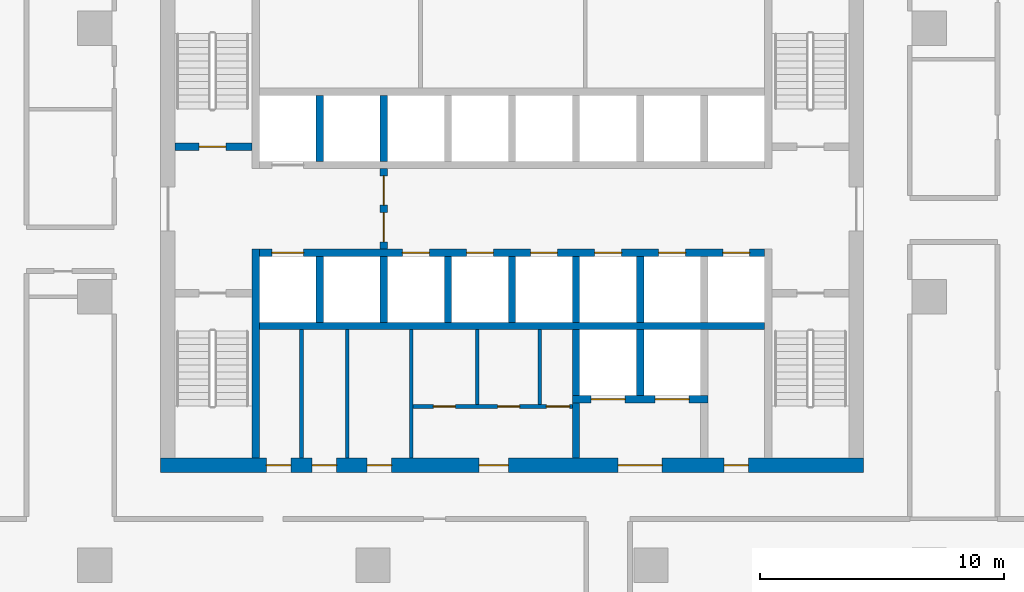
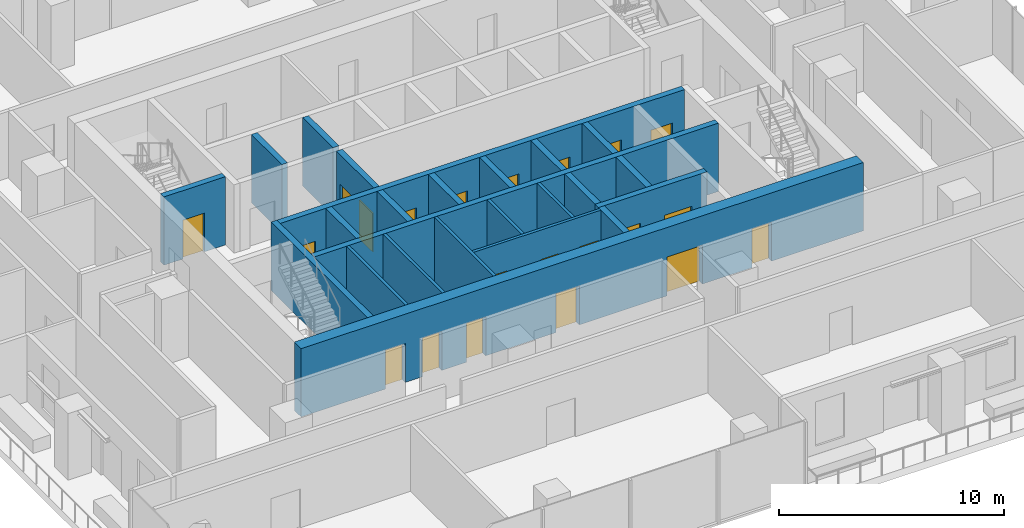
# One storey, part 8 of 14: 24 walls, 21 doors, 21 openings.
"""IFC4 building model written with IfcOpenShell, lengths in metres."""

from ifc_helpers import new_model, si_unit, direction, frame, frame_2d, origin, place, context, subcontext, project, spatial, rectangle, extrude, material, layer, layer_set, type_object, element, fill, save


model = new_model("IFC4")

# Units and contexts
model_context = context("Model", 3, precision=1e-05, world=origin(), true_north=direction((0.0, 1.0)))
body_context = subcontext(model_context, "Body", "Model", "MODEL_VIEW")
ifc_project = project(units=[si_unit("LENGTHUNIT", "METRE"), si_unit("AREAUNIT", "SQUARE_METRE"), si_unit("VOLUMEUNIT", "CUBIC_METRE"), si_unit("PLANEANGLEUNIT", "RADIAN"), si_unit("MASSUNIT", "GRAM", prefix="KILO")], contexts=[model_context])

# Site, building, storey
site_placement = place(None, origin())
site = spatial("IfcSite", under=ifc_project, at=site_placement, CompositionType="ELEMENT")
building_placement = place(site_placement, origin())
building = spatial("IfcBuilding", under=site, at=building_placement, Name="Mopane Tessera Tower", CompositionType="ELEMENT")
storey_placement = place(building_placement, frame((0.0, 0.0, 197.0)))
storey = spatial("IfcBuildingStorey", under=building, at=storey_placement, Name="L41", CompositionType="ELEMENT", Elevation=197.0)

# Walls
ifc_material_1 = material(Name="Fire-rated gypsum board partition")
ifc_layer_1 = layer(ifc_material_1, 0.14990234375)
ifc_layer_set_1 = layer_set([ifc_layer_1], Name="Fire-rated gypsum board partition")
wall_type_1 = type_object("IfcWallType", Name="Core room partition 150 mm", PredefinedType="PARTITIONING", material=ifc_layer_set_1)
for number, where, z_axis, x_axis, name in (
    (1, (-8.625, -6.60009765625, 0.0), (0.0, 0.0, 1.0), (0.0, 1.0, 0.0), "L41 Room partition"),
    (2, (-6.75, -6.60009765625, 0.0), (0.0, 0.0, 1.0), (0.0, 1.0, 0.0), "L41 Room partition"),
    (3, (-4.125, -6.60009765625, 0.0), (0.0, 0.0, 1.0), (0.0, 1.0, 0.0), "L41 Room partition"),
):
    element("IfcWall", number, at=place(storey_placement, frame(where, z_axis=z_axis, x_axis=x_axis)), inside=storey, type_object=wall_type_1, Name=name, PredefinedType="PARTITIONING", context=body_context, shape_type="SweptSolid", body=[
        extrude(rectangle(XDim=5.25, YDim=0.14990234375, at=frame_2d((2.625, 0.0))), origin(), (0.0, 0.0, 1.0), 3.699951171875),
    ])

# Wall, openings, doors
wall_1_placement = place(storey_placement, frame((-4.050048828125, -4.5, 0.0), z_axis=(0.0, 0.0, 1.0), x_axis=(1.0, 0.0, 0.0)))
wall_1 = element("IfcWall", 4, at=wall_1_placement, inside=storey, type_object=wall_type_1, Name="L41 WC partition", PredefinedType="PARTITIONING", context=body_context, shape_type="SweptSolid", body=[
    extrude(rectangle(XDim=6.525146484375, YDim=0.14990234375, at=frame_2d((3.2626953125, 0.0))), origin(), (0.0, 0.0, 1.0), 3.699951171875),
])
opening_1_placement = place(wall_1_placement, frame((0.824951171875, 0.0, 0.0)))
opening_1 = element("IfcOpeningElement", 5, at=opening_1_placement, cuts=wall_1, Name="Opening WD1", PredefinedType="OPENING", context=body_context, shape_type="SweptSolid", body=[
    extrude(rectangle(XDim=0.89990234375, YDim=2.10009765625, at=frame_2d((0.449951171875, 1.050048828125))), frame((0.0, 0.0869140625, 0.0), z_axis=(0.0, -1.0, 0.0), x_axis=(1.0, 0.0, 0.0)), (0.0, 0.0, 1.0), 0.173828125),
])
opening_2_placement = place(wall_1_placement, frame((3.45751953125, 0.0, 0.0)))
opening_2 = element("IfcOpeningElement", 6, at=opening_2_placement, cuts=wall_1, Name="Opening WD1", PredefinedType="OPENING", context=body_context, shape_type="SweptSolid", body=[
    extrude(rectangle(XDim=0.89990234375, YDim=2.10009765625, at=frame_2d((0.449951171875, 1.050048828125))), frame((0.0, 0.0869140625, 0.0), z_axis=(0.0, -1.0, 0.0), x_axis=(1.0, 0.0, 0.0)), (0.0, 0.0, 1.0), 0.173828125),
])
opening_3_placement = place(wall_1_placement, frame((5.45751953125, 0.0, 0.0)))
opening_3 = element("IfcOpeningElement", 7, at=opening_3_placement, cuts=wall_1, Name="Opening WD2", PredefinedType="OPENING", context=body_context, shape_type="SweptSolid", body=[
    extrude(rectangle(XDim=0.949951171875, YDim=2.10009765625, at=frame_2d((0.47509765625, 1.050048828125))), frame((0.0, 0.0869140625, 0.0), z_axis=(0.0, -1.0, 0.0), x_axis=(1.0, 0.0, 0.0)), (0.0, 0.0, 1.0), 0.173828125),
])
ifc_material_2 = material(Name="Timber door", Category="wood")
door_type_1 = type_object("IfcDoorType", Name="Accessible WC door 950 x 2100", OperationType="SINGLE_SWING_LEFT", PredefinedType="DOOR", material=ifc_material_2)
door_1_placement = place(opening_3_placement, origin())
door_1 = element("IfcDoor", 8, at=door_1_placement, inside=storey, type_object=door_type_1, Name="L41 Accessible WC door", OperationType="SINGLE_SWING_LEFT", OverallHeight=2.10009765625, OverallWidth=0.949951171875, PredefinedType="DOOR", context=body_context, shape_type="SweptSolid", body=[
    extrude(rectangle(XDim=0.949951171875, YDim=2.10009765625, at=frame_2d((0.47509765625, 1.050048828125))), frame((0.0, 0.02490234375, 0.0), z_axis=(0.0, -1.0, 0.0), x_axis=(1.0, 0.0, 0.0)), (0.0, 0.0, 1.0), 0.050048828125),
])
fill(opening_3, door_1)
ifc_material_3 = material(Name="Timber door", Category="wood")
door_type_2 = type_object("IfcDoorType", Name="WC cubicle door 900 x 2100", OperationType="SINGLE_SWING_LEFT", PredefinedType="DOOR", material=ifc_material_3)
door_2_placement = place(opening_1_placement, origin())
door_2 = element("IfcDoor", 9, at=door_2_placement, inside=storey, type_object=door_type_2, Name="L41 Men's WC door", OperationType="SINGLE_SWING_LEFT", OverallHeight=2.10009765625, OverallWidth=0.89990234375, PredefinedType="DOOR", context=body_context, shape_type="SweptSolid", body=[
    extrude(rectangle(XDim=0.89990234375, YDim=2.10009765625, at=frame_2d((0.449951171875, 1.050048828125))), frame((0.0, 0.02490234375, 0.0), z_axis=(0.0, -1.0, 0.0), x_axis=(1.0, 0.0, 0.0)), (0.0, 0.0, 1.0), 0.050048828125),
])
fill(opening_1, door_2)
door_3_placement = place(opening_2_placement, origin())
door_3 = element("IfcDoor", 10, at=door_3_placement, inside=storey, type_object=door_type_2, Name="L41 Women's WC door", OperationType="SINGLE_SWING_LEFT", OverallHeight=2.10009765625, OverallWidth=0.89990234375, PredefinedType="DOOR", context=body_context, shape_type="SweptSolid", body=[
    extrude(rectangle(XDim=0.89990234375, YDim=2.10009765625, at=frame_2d((0.449951171875, 1.050048828125))), frame((0.0, 0.02490234375, 0.0), z_axis=(0.0, -1.0, 0.0), x_axis=(1.0, 0.0, 0.0)), (0.0, 0.0, 1.0), 0.050048828125),
])
fill(opening_2, door_3)

# Walls
for number, where, z_axis, x_axis, name in (
    (11, (-1.425048828125, -4.425048828125, 0.0), (0.0, 0.0, 1.0), (0.0, 1.0, 0.0), "L41 WC partition"),
    (12, (1.139892578125, -4.425048828125, 0.0), (0.0, 0.0, 1.0), (0.0, 1.0, 0.0), "L41 WC partition"),
):
    element("IfcWall", number, at=place(storey_placement, frame(where, z_axis=z_axis, x_axis=x_axis)), inside=storey, type_object=wall_type_1, Name=name, PredefinedType="PARTITIONING", context=body_context, shape_type="SweptSolid", body=[
        extrude(rectangle(XDim=3.074951171875, YDim=0.14990234375, at=frame_2d((1.53759765625, 0.0))), origin(), (0.0, 0.0, 1.0), 3.699951171875),
    ])

# Wall, openings, doors
ifc_material_4 = material(Name="Concrete C70/85", Category="concrete")
ifc_layer_2 = layer(ifc_material_4, 0.60009765625)
ifc_layer_set_2 = layer_set([ifc_layer_2], Name="Concrete C70/85")
wall_type_2 = type_object("IfcWallType", Name="Core shear wall 600 mm", PredefinedType="SHEAR", material=ifc_layer_set_2)
wall_2_placement = place(storey_placement, frame((-14.39990234375, -6.89990234375, 0.0), z_axis=(0.0, 0.0, 1.0), x_axis=(1.0, 0.0, 0.0)))
wall_2 = element("IfcWall", 13, at=wall_2_placement, inside=storey, type_object=wall_type_2, Name="L41 Core wall south", PredefinedType="SHEAR", context=body_context, shape_type="SweptSolid", body=[
    extrude(rectangle(XDim=28.7998046875, YDim=0.60009765625, at=frame_2d((14.39990234375, 0.0))), origin(), (0.0, 0.0, 1.0), 3.699951171875),
])
opening_4_placement = place(wall_2_placement, frame((4.33740234375, 0.0, 0.0)))
opening_4 = element("IfcOpeningElement", 14, at=opening_4_placement, cuts=wall_2, Name="Opening RD1", PredefinedType="OPENING", context=body_context, shape_type="SweptSolid", body=[
    extrude(rectangle(XDim=1.0, YDim=2.10009765625, at=frame_2d((0.5, 1.050048828125))), frame((0.0, 0.31201171875, 0.0), z_axis=(0.0, -1.0, 0.0), x_axis=(1.0, 0.0, 0.0)), (0.0, 0.0, 1.0), 0.6240234375),
])
opening_5_placement = place(wall_2_placement, frame((6.21240234375, 0.0, 0.0)))
opening_5 = element("IfcOpeningElement", 15, at=opening_5_placement, cuts=wall_2, Name="Opening RD1", PredefinedType="OPENING", context=body_context, shape_type="SweptSolid", body=[
    extrude(rectangle(XDim=1.0, YDim=2.10009765625, at=frame_2d((0.5, 1.050048828125))), frame((0.0, 0.31201171875, 0.0), z_axis=(0.0, -1.0, 0.0), x_axis=(1.0, 0.0, 0.0)), (0.0, 0.0, 1.0), 0.6240234375),
])
opening_6_placement = place(wall_2_placement, frame((8.46240234375, 0.0, 0.0)))
opening_6 = element("IfcOpeningElement", 16, at=opening_6_placement, cuts=wall_2, Name="Opening RD1", PredefinedType="OPENING", context=body_context, shape_type="SweptSolid", body=[
    extrude(rectangle(XDim=1.0, YDim=2.10009765625, at=frame_2d((0.5, 1.050048828125))), frame((0.0, 0.31201171875, 0.0), z_axis=(0.0, -1.0, 0.0), x_axis=(1.0, 0.0, 0.0)), (0.0, 0.0, 1.0), 0.6240234375),
])
opening_7_placement = place(wall_2_placement, frame((13.050048828125, 0.0, 0.0)))
opening_7 = element("IfcOpeningElement", 17, at=opening_7_placement, cuts=wall_2, Name="Opening WD3", PredefinedType="OPENING", context=body_context, shape_type="SweptSolid", body=[
    extrude(rectangle(XDim=1.199951171875, YDim=2.10009765625, at=frame_2d((0.60009765625, 1.050048828125))), frame((0.0, 0.31201171875, 0.0), z_axis=(0.0, -1.0, 0.0), x_axis=(1.0, 0.0, 0.0)), (0.0, 0.0, 1.0), 0.6240234375),
])
opening_8_placement = place(wall_2_placement, frame((18.75, 0.0, 0.0)))
opening_8 = element("IfcOpeningElement", 18, at=opening_8_placement, cuts=wall_2, Name="Opening SD2", PredefinedType="OPENING", context=body_context, shape_type="SweptSolid", body=[
    extrude(rectangle(XDim=1.800048828125, YDim=2.10009765625, at=frame_2d((0.89990234375, 1.050048828125))), frame((0.0, 0.31201171875, 0.0), z_axis=(0.0, -1.0, 0.0), x_axis=(1.0, 0.0, 0.0)), (0.0, 0.0, 1.0), 0.6240234375),
])
opening_9_placement = place(wall_2_placement, frame((23.08740234375, 0.0, 0.0)))
opening_9 = element("IfcOpeningElement", 19, at=opening_9_placement, cuts=wall_2, Name="Opening RD1", PredefinedType="OPENING", context=body_context, shape_type="SweptSolid", body=[
    extrude(rectangle(XDim=1.0, YDim=2.10009765625, at=frame_2d((0.5, 1.050048828125))), frame((0.0, 0.31201171875, 0.0), z_axis=(0.0, -1.0, 0.0), x_axis=(1.0, 0.0, 0.0)), (0.0, 0.0, 1.0), 0.6240234375),
])
ifc_material_5 = material(Name="Steel fire door", Category="steel")
door_type_3 = type_object("IfcDoorType", Name="Core entrance double door 1800 x 2100", OperationType="DOUBLE_DOOR_SINGLE_SWING", PredefinedType="DOOR", material=ifc_material_5)
door_4_placement = place(opening_8_placement, origin())
door_4 = element("IfcDoor", 20, at=door_4_placement, inside=storey, type_object=door_type_3, Name="L41 Service lobby door", OperationType="DOUBLE_DOOR_SINGLE_SWING", OverallHeight=2.10009765625, OverallWidth=1.800048828125, PredefinedType="DOOR", context=body_context, shape_type="SweptSolid", body=[
    extrude(rectangle(XDim=1.800048828125, YDim=2.10009765625, at=frame_2d((0.89990234375, 1.050048828125))), frame((0.0, 0.02490234375, 0.0), z_axis=(0.0, -1.0, 0.0), x_axis=(1.0, 0.0, 0.0)), (0.0, 0.0, 1.0), 0.050048828125),
])
fill(opening_8, door_4)
ifc_material_6 = material(Name="Timber door", Category="wood")
door_type_4 = type_object("IfcDoorType", Name="Core room door 1000 x 2100", OperationType="SINGLE_SWING_LEFT", PredefinedType="DOOR", material=ifc_material_6)
door_5_placement = place(opening_4_placement, origin())
door_5 = element("IfcDoor", 21, at=door_5_placement, inside=storey, type_object=door_type_4, Name="L41 Room door", OperationType="SINGLE_SWING_LEFT", OverallHeight=2.10009765625, OverallWidth=1.0, PredefinedType="DOOR", context=body_context, shape_type="SweptSolid", body=[
    extrude(rectangle(XDim=1.0, YDim=2.10009765625, at=frame_2d((0.5, 1.050048828125))), frame((0.0, 0.02490234375, 0.0), z_axis=(0.0, -1.0, 0.0), x_axis=(1.0, 0.0, 0.0)), (0.0, 0.0, 1.0), 0.050048828125),
])
fill(opening_4, door_5)
door_6_placement = place(opening_5_placement, origin())
door_6 = element("IfcDoor", 22, at=door_6_placement, inside=storey, type_object=door_type_4, Name="L41 Room door", OperationType="SINGLE_SWING_LEFT", OverallHeight=2.10009765625, OverallWidth=1.0, PredefinedType="DOOR", context=body_context, shape_type="SweptSolid", body=[
    extrude(rectangle(XDim=1.0, YDim=2.10009765625, at=frame_2d((0.5, 1.050048828125))), frame((0.0, 0.02490234375, 0.0), z_axis=(0.0, -1.0, 0.0), x_axis=(1.0, 0.0, 0.0)), (0.0, 0.0, 1.0), 0.050048828125),
])
fill(opening_5, door_6)
door_7_placement = place(opening_6_placement, origin())
door_7 = element("IfcDoor", 23, at=door_7_placement, inside=storey, type_object=door_type_4, Name="L41 Room door", OperationType="SINGLE_SWING_LEFT", OverallHeight=2.10009765625, OverallWidth=1.0, PredefinedType="DOOR", context=body_context, shape_type="SweptSolid", body=[
    extrude(rectangle(XDim=1.0, YDim=2.10009765625, at=frame_2d((0.5, 1.050048828125))), frame((0.0, 0.02490234375, 0.0), z_axis=(0.0, -1.0, 0.0), x_axis=(1.0, 0.0, 0.0)), (0.0, 0.0, 1.0), 0.050048828125),
])
fill(opening_6, door_7)
door_8_placement = place(opening_9_placement, origin())
door_8 = element("IfcDoor", 24, at=door_8_placement, inside=storey, type_object=door_type_4, Name="L41 Room door", OperationType="SINGLE_SWING_LEFT", OverallHeight=2.10009765625, OverallWidth=1.0, PredefinedType="DOOR", context=body_context, shape_type="SweptSolid", body=[
    extrude(rectangle(XDim=1.0, YDim=2.10009765625, at=frame_2d((0.5, 1.050048828125))), frame((0.0, 0.02490234375, 0.0), z_axis=(0.0, -1.0, 0.0), x_axis=(1.0, 0.0, 0.0)), (0.0, 0.0, 1.0), 0.050048828125),
])
fill(opening_9, door_8)
ifc_material_7 = material(Name="Timber door", Category="wood")
door_type_5 = type_object("IfcDoorType", Name="WC lobby door 1200 x 2100", OperationType="SINGLE_SWING_LEFT", PredefinedType="DOOR", material=ifc_material_7)
door_9_placement = place(opening_7_placement, origin())
door_9 = element("IfcDoor", 25, at=door_9_placement, inside=storey, type_object=door_type_5, Name="L41 WC lobby door", OperationType="SINGLE_SWING_LEFT", OverallHeight=2.10009765625, OverallWidth=1.199951171875, PredefinedType="DOOR", context=body_context, shape_type="SweptSolid", body=[
    extrude(rectangle(XDim=1.199951171875, YDim=2.10009765625, at=frame_2d((0.60009765625, 1.050048828125))), frame((0.0, 0.02490234375, 0.0), z_axis=(0.0, -1.0, 0.0), x_axis=(1.0, 0.0, 0.0)), (0.0, 0.0, 1.0), 0.050048828125),
])
fill(opening_7, door_9)

# Wall
ifc_material_8 = material(Name="Concrete C60/75", Category="concrete")
ifc_layer_3 = layer(ifc_material_8, 0.300048828125)
ifc_layer_set_3 = layer_set([ifc_layer_3], Name="Concrete C60/75")
wall_type_3 = type_object("IfcWallType", Name="Core spine wall 300 mm", PredefinedType="SHEAR", material=ifc_layer_set_3)
wall_3_placement = place(storey_placement, frame((-10.5, -6.60009765625, 0.0), z_axis=(0.0, 0.0, 1.0), x_axis=(0.0, 1.0, 0.0)))
element("IfcWall", 26, at=wall_3_placement, inside=storey, type_object=wall_type_3, Name="L41 Core spine wall", PredefinedType="SHEAR", context=body_context, shape_type="SweptSolid", body=[
    extrude(rectangle(XDim=8.550048828125, YDim=0.300048828125, at=frame_2d((4.27490234375, 0.0))), origin(), (0.0, 0.0, 1.0), 3.699951171875),
])

# Wall, opening, door
ifc_material_9 = material(Name="Concrete C50/60", Category="concrete")
ifc_layer_4 = layer(ifc_material_9, 0.300048828125)
ifc_layer_set_4 = layer_set([ifc_layer_4], Name="Concrete C50/60")
wall_type_4 = type_object("IfcWallType", Name="Lift and stair shaft wall 300 mm", PredefinedType="SOLIDWALL", material=ifc_layer_set_4)
wall_4_placement = place(storey_placement, frame((-13.800048828125, 6.14990234375, 0.0), z_axis=(0.0, 0.0, 1.0), x_axis=(1.0, 0.0, 0.0)))
wall_4 = element("IfcWall", 27, at=wall_4_placement, inside=storey, type_object=wall_type_4, Name="L41 Stair enclosure wall", PredefinedType="SOLIDWALL", context=body_context, shape_type="SweptSolid", body=[
    extrude(rectangle(XDim=3.150146484375, YDim=0.300048828125, at=frame_2d((1.5751953125, 0.0))), origin(), (0.0, 0.0, 1.0), 3.699951171875),
])
opening_10_placement = place(wall_4_placement, frame((0.97509765625, 0.0, 0.0)))
opening_10 = element("IfcOpeningElement", 28, at=opening_10_placement, cuts=wall_4, Name="Opening SD1", PredefinedType="OPENING", context=body_context, shape_type="SweptSolid", body=[
    extrude(rectangle(XDim=1.10009765625, YDim=2.10009765625, at=frame_2d((0.550048828125, 1.050048828125))), frame((0.0, 0.162109375, 0.0), z_axis=(0.0, -1.0, 0.0), x_axis=(1.0, 0.0, 0.0)), (0.0, 0.0, 1.0), 0.323974609375),
])
ifc_material_10 = material(Name="Steel fire door", Category="steel")
door_type_6 = type_object("IfcDoorType", Name="Stair fire door 1100 x 2100", OperationType="SINGLE_SWING_LEFT", PredefinedType="DOOR", material=ifc_material_10)
door_10_placement = place(opening_10_placement, origin())
door_10 = element("IfcDoor", 29, at=door_10_placement, inside=storey, type_object=door_type_6, Name="L41 Stair door ST2", OperationType="SINGLE_SWING_LEFT", OverallHeight=2.10009765625, OverallWidth=1.10009765625, PredefinedType="DOOR", context=body_context, shape_type="SweptSolid", body=[
    extrude(rectangle(XDim=1.10009765625, YDim=2.10009765625, at=frame_2d((0.550048828125, 1.050048828125))), frame((0.0, 0.02490234375, 0.0), z_axis=(0.0, -1.0, 0.0), x_axis=(1.0, 0.0, 0.0)), (0.0, 0.0, 1.0), 0.050048828125),
])
fill(opening_10, door_10)

# Wall
wall_5_placement = place(storey_placement, frame((-10.35009765625, -1.199951171875, 0.0), z_axis=(0.0, 0.0, 1.0), x_axis=(1.0, 0.0, 0.0)))
element("IfcWall", 30, at=wall_5_placement, inside=storey, type_object=wall_type_4, Name="L41 Lift shaft rear wall", PredefinedType="SOLIDWALL", context=body_context, shape_type="SweptSolid", body=[
    extrude(rectangle(XDim=20.7001953125, YDim=0.300048828125, at=frame_2d((10.35009765625, 0.0))), origin(), (0.0, 0.0, 1.0), 3.699951171875),
])

# Wall, openings, doors
wall_6_placement = place(storey_placement, frame((-10.35009765625, 1.800048828125, 0.0), z_axis=(0.0, 0.0, 1.0), x_axis=(1.0, 0.0, 0.0)))
wall_6 = element("IfcWall", 31, at=wall_6_placement, inside=storey, type_object=wall_type_4, Name="L41 Lift shaft front wall", PredefinedType="SOLIDWALL", context=body_context, shape_type="SweptSolid", body=[
    extrude(rectangle(XDim=20.7001953125, YDim=0.300048828125, at=frame_2d((10.35009765625, 0.0))), origin(), (0.0, 0.0, 1.0), 3.699951171875),
])
opening_11_placement = place(wall_6_placement, frame((0.512451171875, 0.0, 0.0)))
opening_11 = element("IfcOpeningElement", 32, at=opening_11_placement, cuts=wall_6, Name="Opening LD2", PredefinedType="OPENING", context=body_context, shape_type="SweptSolid", body=[
    extrude(rectangle(XDim=1.300048828125, YDim=2.10009765625, at=frame_2d((0.64990234375, 1.050048828125))), frame((0.0, 0.162109375, 0.0), z_axis=(0.0, -1.0, 0.0), x_axis=(1.0, 0.0, 0.0)), (0.0, 0.0, 1.0), 0.323974609375),
])
opening_12_placement = place(wall_6_placement, frame((5.862548828125, 0.0, 0.0)))
opening_12 = element("IfcOpeningElement", 33, at=opening_12_placement, cuts=wall_6, Name="Opening LD", PredefinedType="OPENING", context=body_context, shape_type="SweptSolid", body=[
    extrude(rectangle(XDim=1.10009765625, YDim=2.10009765625, at=frame_2d((0.550048828125, 1.050048828125))), frame((0.0, 0.162109375, 0.0), z_axis=(0.0, -1.0, 0.0), x_axis=(1.0, 0.0, 0.0)), (0.0, 0.0, 1.0), 0.323974609375),
])
opening_13_placement = place(wall_6_placement, frame((8.487548828125, 0.0, 0.0)))
opening_13 = element("IfcOpeningElement", 34, at=opening_13_placement, cuts=wall_6, Name="Opening LD", PredefinedType="OPENING", context=body_context, shape_type="SweptSolid", body=[
    extrude(rectangle(XDim=1.10009765625, YDim=2.10009765625, at=frame_2d((0.550048828125, 1.050048828125))), frame((0.0, 0.162109375, 0.0), z_axis=(0.0, -1.0, 0.0), x_axis=(1.0, 0.0, 0.0)), (0.0, 0.0, 1.0), 0.323974609375),
])
opening_14_placement = place(wall_6_placement, frame((11.112548828125, 0.0, 0.0)))
opening_14 = element("IfcOpeningElement", 35, at=opening_14_placement, cuts=wall_6, Name="Opening LD", PredefinedType="OPENING", context=body_context, shape_type="SweptSolid", body=[
    extrude(rectangle(XDim=1.10009765625, YDim=2.10009765625, at=frame_2d((0.550048828125, 1.050048828125))), frame((0.0, 0.162109375, 0.0), z_axis=(0.0, -1.0, 0.0), x_axis=(1.0, 0.0, 0.0)), (0.0, 0.0, 1.0), 0.323974609375),
])
opening_15_placement = place(wall_6_placement, frame((13.737548828125, 0.0, 0.0)))
opening_15 = element("IfcOpeningElement", 36, at=opening_15_placement, cuts=wall_6, Name="Opening LD", PredefinedType="OPENING", context=body_context, shape_type="SweptSolid", body=[
    extrude(rectangle(XDim=1.10009765625, YDim=2.10009765625, at=frame_2d((0.550048828125, 1.050048828125))), frame((0.0, 0.162109375, 0.0), z_axis=(0.0, -1.0, 0.0), x_axis=(1.0, 0.0, 0.0)), (0.0, 0.0, 1.0), 0.323974609375),
])
opening_16_placement = place(wall_6_placement, frame((16.362548828125, 0.0, 0.0)))
opening_16 = element("IfcOpeningElement", 37, at=opening_16_placement, cuts=wall_6, Name="Opening LD", PredefinedType="OPENING", context=body_context, shape_type="SweptSolid", body=[
    extrude(rectangle(XDim=1.10009765625, YDim=2.10009765625, at=frame_2d((0.550048828125, 1.050048828125))), frame((0.0, 0.162109375, 0.0), z_axis=(0.0, -1.0, 0.0), x_axis=(1.0, 0.0, 0.0)), (0.0, 0.0, 1.0), 0.323974609375),
])
opening_17_placement = place(wall_6_placement, frame((18.987548828125, 0.0, 0.0)))
opening_17 = element("IfcOpeningElement", 38, at=opening_17_placement, cuts=wall_6, Name="Opening LD", PredefinedType="OPENING", context=body_context, shape_type="SweptSolid", body=[
    extrude(rectangle(XDim=1.10009765625, YDim=2.10009765625, at=frame_2d((0.550048828125, 1.050048828125))), frame((0.0, 0.162109375, 0.0), z_axis=(0.0, -1.0, 0.0), x_axis=(1.0, 0.0, 0.0)), (0.0, 0.0, 1.0), 0.323974609375),
])
ifc_material_11 = material(Name="Stainless steel sliding door", Category="steel")
door_type_7 = type_object("IfcDoorType", Name="Fire-fighting lift landing door 1300 x 2100", OperationType="DOUBLE_DOOR_SLIDING", PredefinedType="DOOR", material=ifc_material_11)
door_11_placement = place(opening_11_placement, origin())
door_11 = element("IfcDoor", 39, at=door_11_placement, inside=storey, type_object=door_type_7, Name="L41 Lift landing door FF1", OperationType="DOUBLE_DOOR_SLIDING", OverallHeight=2.10009765625, OverallWidth=1.300048828125, PredefinedType="DOOR", context=body_context, shape_type="SweptSolid", body=[
    extrude(rectangle(XDim=1.300048828125, YDim=2.10009765625, at=frame_2d((0.64990234375, 1.050048828125))), frame((0.0, 0.02490234375, 0.0), z_axis=(0.0, -1.0, 0.0), x_axis=(1.0, 0.0, 0.0)), (0.0, 0.0, 1.0), 0.050048828125),
])
fill(opening_11, door_11)
ifc_material_12 = material(Name="Stainless steel sliding door", Category="steel")
door_type_8 = type_object("IfcDoorType", Name="Lift landing door 1100 x 2100", OperationType="DOUBLE_DOOR_SLIDING", PredefinedType="DOOR", material=ifc_material_12)
door_12_placement = place(opening_12_placement, origin())
door_12 = element("IfcDoor", 40, at=door_12_placement, inside=storey, type_object=door_type_8, Name="L41 Lift landing door LR1", OperationType="DOUBLE_DOOR_SLIDING", OverallHeight=2.10009765625, OverallWidth=1.10009765625, PredefinedType="DOOR", context=body_context, shape_type="SweptSolid", body=[
    extrude(rectangle(XDim=1.10009765625, YDim=2.10009765625, at=frame_2d((0.550048828125, 1.050048828125))), frame((0.0, 0.02490234375, 0.0), z_axis=(0.0, -1.0, 0.0), x_axis=(1.0, 0.0, 0.0)), (0.0, 0.0, 1.0), 0.050048828125),
])
fill(opening_12, door_12)
door_13_placement = place(opening_13_placement, origin())
door_13 = element("IfcDoor", 41, at=door_13_placement, inside=storey, type_object=door_type_8, Name="L41 Lift landing door LR2", OperationType="DOUBLE_DOOR_SLIDING", OverallHeight=2.10009765625, OverallWidth=1.10009765625, PredefinedType="DOOR", context=body_context, shape_type="SweptSolid", body=[
    extrude(rectangle(XDim=1.10009765625, YDim=2.10009765625, at=frame_2d((0.550048828125, 1.050048828125))), frame((0.0, 0.02490234375, 0.0), z_axis=(0.0, -1.0, 0.0), x_axis=(1.0, 0.0, 0.0)), (0.0, 0.0, 1.0), 0.050048828125),
])
fill(opening_13, door_13)
door_14_placement = place(opening_14_placement, origin())
door_14 = element("IfcDoor", 42, at=door_14_placement, inside=storey, type_object=door_type_8, Name="L41 Lift landing door LR3", OperationType="DOUBLE_DOOR_SLIDING", OverallHeight=2.10009765625, OverallWidth=1.10009765625, PredefinedType="DOOR", context=body_context, shape_type="SweptSolid", body=[
    extrude(rectangle(XDim=1.10009765625, YDim=2.10009765625, at=frame_2d((0.550048828125, 1.050048828125))), frame((0.0, 0.02490234375, 0.0), z_axis=(0.0, -1.0, 0.0), x_axis=(1.0, 0.0, 0.0)), (0.0, 0.0, 1.0), 0.050048828125),
])
fill(opening_14, door_14)
door_15_placement = place(opening_15_placement, origin())
door_15 = element("IfcDoor", 43, at=door_15_placement, inside=storey, type_object=door_type_8, Name="L41 Lift landing door LR4", OperationType="DOUBLE_DOOR_SLIDING", OverallHeight=2.10009765625, OverallWidth=1.10009765625, PredefinedType="DOOR", context=body_context, shape_type="SweptSolid", body=[
    extrude(rectangle(XDim=1.10009765625, YDim=2.10009765625, at=frame_2d((0.550048828125, 1.050048828125))), frame((0.0, 0.02490234375, 0.0), z_axis=(0.0, -1.0, 0.0), x_axis=(1.0, 0.0, 0.0)), (0.0, 0.0, 1.0), 0.050048828125),
])
fill(opening_15, door_15)
door_16_placement = place(opening_16_placement, origin())
door_16 = element("IfcDoor", 44, at=door_16_placement, inside=storey, type_object=door_type_8, Name="L41 Lift landing door LR5", OperationType="DOUBLE_DOOR_SLIDING", OverallHeight=2.10009765625, OverallWidth=1.10009765625, PredefinedType="DOOR", context=body_context, shape_type="SweptSolid", body=[
    extrude(rectangle(XDim=1.10009765625, YDim=2.10009765625, at=frame_2d((0.550048828125, 1.050048828125))), frame((0.0, 0.02490234375, 0.0), z_axis=(0.0, -1.0, 0.0), x_axis=(1.0, 0.0, 0.0)), (0.0, 0.0, 1.0), 0.050048828125),
])
fill(opening_16, door_16)
door_17_placement = place(opening_17_placement, origin())
door_17 = element("IfcDoor", 45, at=door_17_placement, inside=storey, type_object=door_type_8, Name="L41 Lift landing door LR6", OperationType="DOUBLE_DOOR_SLIDING", OverallHeight=2.10009765625, OverallWidth=1.10009765625, PredefinedType="DOOR", context=body_context, shape_type="SweptSolid", body=[
    extrude(rectangle(XDim=1.10009765625, YDim=2.10009765625, at=frame_2d((0.550048828125, 1.050048828125))), frame((0.0, 0.02490234375, 0.0), z_axis=(0.0, -1.0, 0.0), x_axis=(1.0, 0.0, 0.0)), (0.0, 0.0, 1.0), 0.050048828125),
])
fill(opening_17, door_17)

# Walls
for number, where, z_axis, x_axis, name in (
    (46, (-7.875, -1.050048828125, 0.0), (0.0, 0.0, 1.0), (0.0, 1.0, 0.0), "L41 Lift shaft wall"),
    (47, (-5.25, -1.050048828125, 0.0), (0.0, 0.0, 1.0), (0.0, 1.0, 0.0), "L41 Lift shaft wall"),
    (48, (-2.625, -1.050048828125, 0.0), (0.0, 0.0, 1.0), (0.0, 1.0, 0.0), "L41 Lift shaft wall"),
    (49, (0.0, -1.050048828125, 0.0), (0.0, 0.0, 1.0), (0.0, 1.0, 0.0), "L41 Lift shaft wall"),
    (50, (2.625, -1.050048828125, 0.0), (0.0, 0.0, 1.0), (0.0, 1.0, 0.0), "L41 Lift shaft wall"),
    (51, (5.25, -1.050048828125, 0.0), (0.0, 0.0, 1.0), (0.0, 1.0, 0.0), "L41 Lift shaft wall"),
    (52, (-7.875, 5.550048828125, 0.0), (0.0, 0.0, 1.0), (0.0, 1.0, 0.0), "L41 Lift shaft wall"),
    (53, (-5.25, 5.550048828125, 0.0), (0.0, 0.0, 1.0), (0.0, 1.0, 0.0), "L41 Lift shaft wall"),
):
    element("IfcWall", number, at=place(storey_placement, frame(where, z_axis=z_axis, x_axis=x_axis)), inside=storey, type_object=wall_type_4, Name=name, PredefinedType="SOLIDWALL", context=body_context, shape_type="SweptSolid", body=[
        extrude(rectangle(XDim=2.699951171875, YDim=0.300048828125, at=frame_2d((1.35009765625, 0.0))), origin(), (0.0, 0.0, 1.0), 3.699951171875),
    ])

# Wall, openings, doors
wall_7_placement = place(storey_placement, frame((2.47509765625, -4.199951171875, 0.0), z_axis=(0.0, 0.0, 1.0), x_axis=(1.0, 0.0, 0.0)))
wall_7 = element("IfcWall", 54, at=wall_7_placement, inside=storey, type_object=wall_type_4, Name="L41 Lift shaft front wall", PredefinedType="SOLIDWALL", context=body_context, shape_type="SweptSolid", body=[
    extrude(rectangle(XDim=5.5498046875, YDim=0.300048828125, at=frame_2d((2.77490234375, 0.0))), origin(), (0.0, 0.0, 1.0), 3.699951171875),
])
opening_18_placement = place(wall_7_placement, frame((0.762451171875, 0.0, 0.0)))
opening_18 = element("IfcOpeningElement", 55, at=opening_18_placement, cuts=wall_7, Name="Opening LD3", PredefinedType="OPENING", context=body_context, shape_type="SweptSolid", body=[
    extrude(rectangle(XDim=1.39990234375, YDim=2.10009765625, at=frame_2d((0.699951171875, 1.050048828125))), frame((0.0, 0.162109375, 0.0), z_axis=(0.0, -1.0, 0.0), x_axis=(1.0, 0.0, 0.0)), (0.0, 0.0, 1.0), 0.323974609375),
])
opening_19_placement = place(wall_7_placement, frame((3.387451171875, 0.0, 0.0)))
opening_19 = element("IfcOpeningElement", 56, at=opening_19_placement, cuts=wall_7, Name="Opening LD3", PredefinedType="OPENING", context=body_context, shape_type="SweptSolid", body=[
    extrude(rectangle(XDim=1.39990234375, YDim=2.10009765625, at=frame_2d((0.699951171875, 1.050048828125))), frame((0.0, 0.162109375, 0.0), z_axis=(0.0, -1.0, 0.0), x_axis=(1.0, 0.0, 0.0)), (0.0, 0.0, 1.0), 0.323974609375),
])
ifc_material_13 = material(Name="Stainless steel sliding door", Category="steel")
door_type_9 = type_object("IfcDoorType", Name="Service lift landing door 1400 x 2100", OperationType="DOUBLE_DOOR_SLIDING", PredefinedType="DOOR", material=ifc_material_13)
door_18_placement = place(opening_18_placement, origin())
door_18 = element("IfcDoor", 57, at=door_18_placement, inside=storey, type_object=door_type_9, Name="L41 Lift landing door SV1", OperationType="DOUBLE_DOOR_SLIDING", OverallHeight=2.10009765625, OverallWidth=1.39990234375, PredefinedType="DOOR", context=body_context, shape_type="SweptSolid", body=[
    extrude(rectangle(XDim=1.39990234375, YDim=2.10009765625, at=frame_2d((0.699951171875, 1.050048828125))), frame((0.0, 0.02490234375, 0.0), z_axis=(0.0, -1.0, 0.0), x_axis=(1.0, 0.0, 0.0)), (0.0, 0.0, 1.0), 0.050048828125),
])
fill(opening_18, door_18)
door_19_placement = place(opening_19_placement, origin())
door_19 = element("IfcDoor", 58, at=door_19_placement, inside=storey, type_object=door_type_9, Name="L41 Lift landing door SV2", OperationType="DOUBLE_DOOR_SLIDING", OverallHeight=2.10009765625, OverallWidth=1.39990234375, PredefinedType="DOOR", context=body_context, shape_type="SweptSolid", body=[
    extrude(rectangle(XDim=1.39990234375, YDim=2.10009765625, at=frame_2d((0.699951171875, 1.050048828125))), frame((0.0, 0.02490234375, 0.0), z_axis=(0.0, -1.0, 0.0), x_axis=(1.0, 0.0, 0.0)), (0.0, 0.0, 1.0), 0.050048828125),
])
fill(opening_19, door_19)

# Walls
for number, where, z_axis, x_axis, name in (
    (59, (2.625, -4.050048828125, 0.0), (0.0, 0.0, 1.0), (0.0, 1.0, 0.0), "L41 Lift shaft wall"),
    (60, (5.25, -4.050048828125, 0.0), (0.0, 0.0, 1.0), (0.0, 1.0, 0.0), "L41 Lift shaft wall"),
):
    element("IfcWall", number, at=place(storey_placement, frame(where, z_axis=z_axis, x_axis=x_axis)), inside=storey, type_object=wall_type_4, Name=name, PredefinedType="SOLIDWALL", context=body_context, shape_type="SweptSolid", body=[
        extrude(rectangle(XDim=2.699951171875, YDim=0.300048828125, at=frame_2d((1.35009765625, 0.0))), origin(), (0.0, 0.0, 1.0), 3.699951171875),
    ])

# Wall, openings, doors
ifc_material_14 = material(Name="Concrete C50/60", Category="concrete")
ifc_layer_5 = layer(ifc_material_14, 0.300048828125)
ifc_layer_set_5 = layer_set([ifc_layer_5], Name="Concrete C50/60")
wall_type_5 = type_object("IfcWallType", Name="Lobby and refuge room wall 300 mm", PredefinedType="SOLIDWALL", material=ifc_layer_set_5)
wall_8_placement = place(storey_placement, frame((-5.25, 1.949951171875, 0.0), z_axis=(0.0, 0.0, 1.0), x_axis=(0.0, 1.0, 0.0)))
wall_8 = element("IfcWall", 61, at=wall_8_placement, inside=storey, type_object=wall_type_5, Name="L41 Fire-fighting lobby wall", PredefinedType="SOLIDWALL", context=body_context, shape_type="SweptSolid", body=[
    extrude(rectangle(XDim=3.300048828125, YDim=0.300048828125, at=frame_2d((1.64990234375, 0.0))), origin(), (0.0, 0.0, 1.0), 3.699951171875),
])
opening_20_placement = place(wall_8_placement, frame((0.300048828125, 0.0, 0.0)))
opening_20 = element("IfcOpeningElement", 62, at=opening_20_placement, cuts=wall_8, Name="Opening SD3", PredefinedType="OPENING", context=body_context, shape_type="SweptSolid", body=[
    extrude(rectangle(XDim=1.199951171875, YDim=2.10009765625, at=frame_2d((0.60009765625, 1.050048828125))), frame((0.0, 0.162109375, 0.0), z_axis=(0.0, -1.0, 0.0), x_axis=(1.0, 0.0, 0.0)), (0.0, 0.0, 1.0), 0.323974609375),
])
opening_21_placement = place(wall_8_placement, frame((1.800048828125, 0.0, 0.0)))
opening_21 = element("IfcOpeningElement", 63, at=opening_21_placement, cuts=wall_8, Name="Opening SD3", PredefinedType="OPENING", context=body_context, shape_type="SweptSolid", body=[
    extrude(rectangle(XDim=1.199951171875, YDim=2.10009765625, at=frame_2d((0.60009765625, 1.050048828125))), frame((0.0, 0.162109375, 0.0), z_axis=(0.0, -1.0, 0.0), x_axis=(1.0, 0.0, 0.0)), (0.0, 0.0, 1.0), 0.323974609375),
])
ifc_material_15 = material(Name="Steel fire door", Category="steel")
door_type_10 = type_object("IfcDoorType", Name="Lobby fire door 1200 x 2100", OperationType="SINGLE_SWING_LEFT", PredefinedType="DOOR", material=ifc_material_15)
door_20_placement = place(opening_20_placement, origin())
door_20 = element("IfcDoor", 64, at=door_20_placement, inside=storey, type_object=door_type_10, Name="L41 Fire-fighting lobby door", OperationType="SINGLE_SWING_LEFT", OverallHeight=2.10009765625, OverallWidth=1.199951171875, PredefinedType="DOOR", context=body_context, shape_type="SweptSolid", body=[
    extrude(rectangle(XDim=1.199951171875, YDim=2.10009765625, at=frame_2d((0.60009765625, 1.050048828125))), frame((0.0, 0.02490234375, 0.0), z_axis=(0.0, -1.0, 0.0), x_axis=(1.0, 0.0, 0.0)), (0.0, 0.0, 1.0), 0.050048828125),
])
fill(opening_20, door_20)
door_21_placement = place(opening_21_placement, origin())
door_21 = element("IfcDoor", 65, at=door_21_placement, inside=storey, type_object=door_type_10, Name="L41 Fire-fighting lobby door", OperationType="SINGLE_SWING_RIGHT", OverallHeight=2.10009765625, OverallWidth=1.199951171875, PredefinedType="DOOR", context=body_context, shape_type="SweptSolid", body=[
    extrude(rectangle(XDim=1.199951171875, YDim=2.10009765625, at=frame_2d((0.60009765625, 1.050048828125))), frame((0.0, 0.02490234375, 0.0), z_axis=(0.0, -1.0, 0.0), x_axis=(1.0, 0.0, 0.0)), (0.0, 0.0, 1.0), 0.050048828125),
])
fill(opening_21, door_21)

# Wall
wall_9_placement = place(storey_placement, frame((2.625, -6.60009765625, 0.0), z_axis=(0.0, 0.0, 1.0), x_axis=(0.0, 1.0, 0.0)))
element("IfcWall", 66, at=wall_9_placement, inside=storey, type_object=wall_type_5, Name="L41 Service lobby wall", PredefinedType="SOLIDWALL", context=body_context, shape_type="SweptSolid", body=[
    extrude(rectangle(XDim=2.25, YDim=0.300048828125, at=frame_2d((1.125, 0.0))), origin(), (0.0, 0.0, 1.0), 3.699951171875),
])

save(model, "model.ifc")
